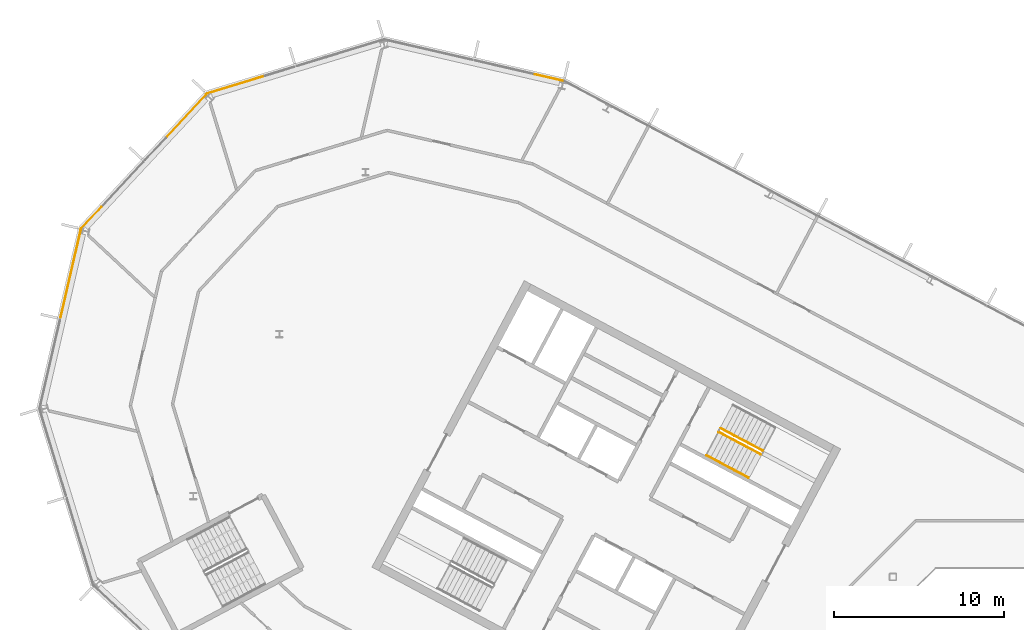
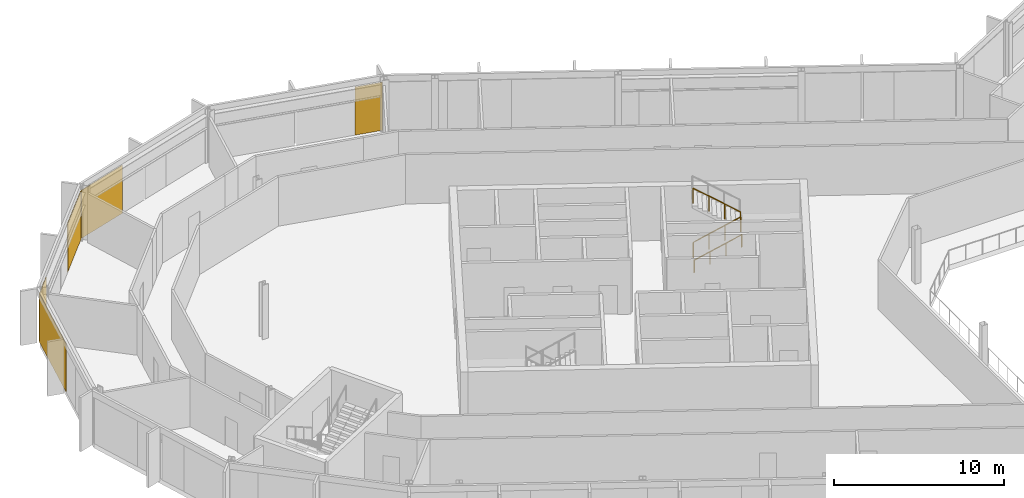
# One storey, part 22 of 26: 5 coverings, 3 railings, 4 elements without a shape of their own.
"""IFC4 building model written with IfcOpenShell, lengths in metres."""

from ifc_helpers import new_model, si_unit, direction, frame, origin, origin_2d, place, context, subcontext, project, spatial, polyline, rectangle, outline, extrude, material, layer, layer_set, type_object, element, aggregate, save


model = new_model("IFC4")

# Units and contexts
model_context = context("Model", 3, precision=1e-05, world=origin(), true_north=direction((0.0, 1.0)))
body_context = subcontext(model_context, "Body", "Model", "MODEL_VIEW")
ifc_project = project(units=[si_unit("LENGTHUNIT", "METRE"), si_unit("AREAUNIT", "SQUARE_METRE"), si_unit("VOLUMEUNIT", "CUBIC_METRE"), si_unit("PLANEANGLEUNIT", "RADIAN"), si_unit("MASSUNIT", "GRAM", prefix="KILO")], contexts=[model_context])

# Site, building, storey
site_placement = place(None, origin())
site = spatial("IfcSite", under=ifc_project, at=site_placement, CompositionType="ELEMENT")
building_placement = place(site_placement, origin())
building = spatial("IfcBuilding", under=site, at=building_placement, Name="Cormorant Relay Tower", CompositionType="ELEMENT")
storey_placement = place(building_placement, frame((0.0, 0.0, 312.60009765625)))
storey = spatial("IfcBuildingStorey", under=building, at=storey_placement, Name="L71", CompositionType="ELEMENT", Elevation=312.60009765625)

# Curtain wall, covering
ifc_material_1 = material(Name="Aluminium 6063-T6 anodised bronze", Category="aluminium")
ifc_layer_1 = layer(ifc_material_1, 0.199951171875)
ifc_layer_set_1 = layer_set([ifc_layer_1], Name="CW1 unitised bronze curtain wall with vertical fins")
curtain_wall_type = type_object("IfcCurtainWallType", Name="CW1 unitised bronze curtain wall with vertical fins", PredefinedType="NOTDEFINED", material=ifc_layer_set_1)
curtain_wall_1_placement = place(storey_placement, origin())
curtain_wall_1 = element("IfcCurtainWall", 1, at=curtain_wall_1_placement, inside=storey, type_object=curtain_wall_type, Name="CW1 curtain wall 10", PredefinedType="NOTDEFINED")
ifc_material_2 = material(Name="Pale bronze anodised aluminium insulated panel", Category="aluminium")
ifc_layer_2 = layer(ifc_material_2, 0.0400390625)
ifc_layer_set_2 = layer_set([ifc_layer_2], Name="CW1 pale bronze insulated panel 40")
covering_type = type_object("IfcCoveringType", Name="CW1 pale bronze insulated panel 40", PredefinedType="CLADDING", material=ifc_layer_set_2)
covering_1_placement = place(storey_placement, frame((-30.76318359375, 39.89404296875, 0.0), z_axis=(0.0, 0.0, 1.0), x_axis=(-0.974370064785, 0.224951054344, 0.0)))
covering_1 = element("IfcCovering", 2, at=covering_1_placement, type_object=covering_type, Name="CW1 panel S00", PredefinedType="CLADDING", context=body_context, shape_type="SweptSolid", body=[
    extrude(rectangle(XDim=1.685302734375, YDim=0.0400390625, at=origin_2d()), origin(), (0.0, 0.0, 1.0), 3.449951171875),
])
aggregate(curtain_wall_1, [covering_1])

curtain_wall_2_placement = place(storey_placement, origin())
curtain_wall_2 = element("IfcCurtainWall", 3, at=curtain_wall_2_placement, inside=storey, type_object=curtain_wall_type, Name="CW1 curtain wall 11", PredefinedType="NOTDEFINED")
covering_2_placement = place(storey_placement, frame((-49.16455078125, 39.474853515625, 0.0), z_axis=(0.0, 0.0, 1.0), x_axis=(-0.956304755963, -0.292371704723, 0.0)))
covering_2 = element("IfcCovering", 4, at=covering_2_placement, type_object=covering_type, Name="CW1 panel S03", PredefinedType="CLADDING", context=body_context, shape_type="SweptSolid", body=[
    extrude(rectangle(XDim=3.560302734375, YDim=0.0400390625, at=origin_2d()), origin(), (0.0, 0.0, 1.0), 3.449951171875),
])
aggregate(curtain_wall_2, [covering_2])

# Curtain wall, coverings
curtain_wall_3_placement = place(storey_placement, origin())
curtain_wall_3 = element("IfcCurtainWall", 5, at=curtain_wall_3_placement, inside=storey, type_object=curtain_wall_type, Name="CW1 curtain wall 12", PredefinedType="NOTDEFINED")
covering_3_placement = place(storey_placement, frame((-52.115234375, 37.61962890625, 0.0), z_axis=(0.0, 0.0, 1.0), x_axis=(-0.681998360062, -0.731353701619, 0.0)))
covering_3 = element("IfcCovering", 6, at=covering_3_placement, type_object=covering_type, Name="CW1 panel S00", PredefinedType="CLADDING", context=body_context, shape_type="SweptSolid", body=[
    extrude(rectangle(XDim=3.485107421875, YDim=0.0400390625, at=origin_2d()), origin(), (0.0, 0.0, 1.0), 3.449951171875),
])
covering_4_placement = place(storey_placement, frame((-57.68896484375, 31.642333984375, 0.0), z_axis=(0.0, 0.0, 1.0), x_axis=(-0.681998360062, -0.731353701619, 0.0)))
covering_4 = element("IfcCovering", 7, at=covering_4_placement, type_object=covering_type, Name="CW1 panel S03", PredefinedType="CLADDING", context=body_context, shape_type="SweptSolid", body=[
    extrude(rectangle(XDim=1.76025390625, YDim=0.0400390625, at=origin_2d()), origin(), (0.0, 0.0, 1.0), 3.449951171875),
])
aggregate(curtain_wall_3, [covering_3, covering_4])

# Curtain wall, covering
curtain_wall_4_placement = place(storey_placement, origin())
curtain_wall_4 = element("IfcCurtainWall", 8, at=curtain_wall_4_placement, inside=storey, type_object=curtain_wall_type, Name="CW1 curtain wall 13", PredefinedType="NOTDEFINED")
covering_5_placement = place(storey_placement, frame((-58.905517578125, 28.341796875, 0.0), z_axis=(0.0, 0.0, 1.0), x_axis=(-0.224951054344, -0.974370064785, 0.0)))
covering_5 = element("IfcCovering", 9, at=covering_5_placement, type_object=covering_type, Name="CW1 panel S00", PredefinedType="CLADDING", context=body_context, shape_type="SweptSolid", body=[
    extrude(rectangle(XDim=5.28515625, YDim=0.0400390625, at=origin_2d()), origin(), (0.0, 0.0, 1.0), 3.449951171875),
])
aggregate(curtain_wall_4, [covering_5])

# Railings
ifc_material_3 = material(Name="Steel ASTM A572 Grade 50 (Fy 345 MPa)", Category="steel")
railing_type_1 = type_object("IfcRailingType", Name="Stair guard 1100", PredefinedType="GUARDRAIL", material=ifc_material_3)
railing_1_placement = place(storey_placement, frame((-20.75048828125, 19.017822265625, 0.17724609375)))
element("IfcRailing", 10, at=railing_1_placement, inside=storey, type_object=railing_type_1, Name="L71 A1 stair guard 1", PredefinedType="GUARDRAIL", context=body_context, shape_type="SweptSolid", body=[
    extrude(outline(polyline([(0.022216796875, 0.00927734375), (0.00927734375, 0.022216796875), (-0.00927734375, 0.022216796875), (-0.022216796875, 0.00927734375), (-0.022216796875, -0.00927734375), (-0.00927734375, -0.022216796875), (0.00927734375, -0.022216796875), (0.022216796875, -0.00927734375), (0.022216796875, 0.00927734375)])), frame((0.0, 0.0, 1.076171875), z_axis=(0.746001213114, -0.396649272309, 0.534931345884), x_axis=(0.469465464807, 0.882950835185, 0.0)), (0.0, 0.0, 1.0), 3.31396484375),
    extrude(outline(polyline([(0.019287109375, 0.008056640625), (0.008056640625, 0.019287109375), (-0.008056640625, 0.019287109375), (-0.019287109375, 0.008056640625), (-0.019287109375, -0.008056640625), (-0.008056640625, -0.019287109375), (0.008056640625, -0.019287109375), (0.019287109375, -0.008056640625), (0.019287109375, 0.008056640625)])), origin(), (0.0, 0.0, 1.0), 1.052001953125),
    extrude(outline(polyline([(0.019287109375, 0.008056640625), (0.008056640625, 0.019287109375), (-0.008056640625, 0.019287109375), (-0.019287109375, 0.008056640625), (-0.019287109375, -0.008056640625), (-0.008056640625, -0.019287109375), (0.008056640625, -0.019287109375), (0.019287109375, -0.008056640625), (0.019287109375, 0.008056640625)])), frame((0.823974609375, -0.438232421875, 0.5908203125)), (0.0, 0.0, 1.0), 1.052001953125),
    extrude(outline(polyline([(0.019287109375, 0.008056640625), (0.008056640625, 0.019287109375), (-0.008056640625, 0.019287109375), (-0.019287109375, 0.008056640625), (-0.019287109375, -0.008056640625), (-0.008056640625, -0.019287109375), (0.008056640625, -0.019287109375), (0.019287109375, -0.008056640625), (0.019287109375, 0.008056640625)])), frame((1.648193359375, -0.876220703125, 1.181884765625)), (0.0, 0.0, 1.0), 1.052001953125),
    extrude(outline(polyline([(0.019287109375, 0.008056640625), (0.008056640625, 0.019287109375), (-0.008056640625, 0.019287109375), (-0.019287109375, 0.008056640625), (-0.019287109375, -0.008056640625), (-0.008056640625, -0.019287109375), (0.008056640625, -0.019287109375), (0.019287109375, -0.008056640625), (0.019287109375, 0.008056640625)])), frame((2.47216796875, -1.314453125, 1.772705078125)), (0.0, 0.0, 1.0), 1.052001953125),
])
railing_2_placement = place(storey_placement, frame((-18.160888671875, 17.924072265625, 2.127197265625)))
element("IfcRailing", 11, at=railing_2_placement, inside=storey, type_object=railing_type_1, Name="L71 A1 stair guard 3", PredefinedType="GUARDRAIL", context=body_context, shape_type="SweptSolid", body=[
    extrude(outline(polyline([(0.022216796875, 0.00927734375), (0.00927734375, 0.022216796875), (-0.00927734375, 0.022216796875), (-0.022216796875, 0.00927734375), (-0.022216796875, -0.00927734375), (-0.00927734375, -0.022216796875), (0.00927734375, -0.022216796875), (0.022216796875, -0.00927734375), (0.022216796875, 0.00927734375)])), frame((0.0, 0.0, 1.076171875), z_axis=(-0.746033882577, 0.396627473466, 0.534901947407), x_axis=(-0.469429322983, -0.882970050864, 0.0)), (0.0, 0.0, 1.0), 3.31396484375),
    extrude(outline(polyline([(0.019287109375, 0.008056640625), (0.008056640625, 0.019287109375), (-0.008056640625, 0.019287109375), (-0.019287109375, 0.008056640625), (-0.019287109375, -0.008056640625), (-0.008056640625, -0.019287109375), (0.008056640625, -0.019287109375), (0.019287109375, -0.008056640625), (0.019287109375, 0.008056640625)])), origin(), (0.0, 0.0, 1.0), 1.052001953125),
    extrude(outline(polyline([(0.019287109375, 0.008056640625), (0.008056640625, 0.019287109375), (-0.008056640625, 0.019287109375), (-0.019287109375, 0.008056640625), (-0.019287109375, -0.008056640625), (-0.008056640625, -0.019287109375), (0.008056640625, -0.019287109375), (0.019287109375, -0.008056640625), (0.019287109375, 0.008056640625)])), frame((-0.82421875, 0.438232421875, 0.5908203125)), (0.0, 0.0, 1.0), 1.052001953125),
    extrude(outline(polyline([(0.019287109375, 0.008056640625), (0.008056640625, 0.019287109375), (-0.008056640625, 0.019287109375), (-0.019287109375, 0.008056640625), (-0.019287109375, -0.008056640625), (-0.008056640625, -0.019287109375), (0.008056640625, -0.019287109375), (0.019287109375, -0.008056640625), (0.019287109375, 0.008056640625)])), frame((-1.648193359375, 0.876220703125, 1.181884765625)), (0.0, 0.0, 1.0), 1.052001953125),
    extrude(outline(polyline([(0.019287109375, 0.008056640625), (0.008056640625, 0.019287109375), (-0.008056640625, 0.019287109375), (-0.019287109375, 0.008056640625), (-0.019287109375, -0.008056640625), (-0.008056640625, -0.019287109375), (0.008056640625, -0.019287109375), (0.019287109375, -0.008056640625), (0.019287109375, 0.008056640625)])), frame((-2.472412109375, 1.314453125, 1.772705078125)), (0.0, 0.0, 1.0), 1.052001953125),
])
ifc_material_4 = material(Name="Steel ASTM A572 Grade 50 (Fy 345 MPa)", Category="steel")
railing_type_2 = type_object("IfcRailingType", Name="Stair handrail 900", PredefinedType="HANDRAIL", material=ifc_material_4)
railing_3_placement = place(storey_placement, frame((-21.478271484375, 17.6494140625, 0.17724609375)))
element("IfcRailing", 12, at=railing_3_placement, inside=storey, type_object=railing_type_2, Name="L71 A1 stair handrail 1", PredefinedType="HANDRAIL", context=body_context, shape_type="SweptSolid", body=[
    extrude(outline(polyline([(0.022216796875, 0.00927734375), (0.00927734375, 0.022216796875), (-0.00927734375, 0.022216796875), (-0.022216796875, 0.00927734375), (-0.022216796875, -0.00927734375), (-0.00927734375, -0.022216796875), (0.00927734375, -0.022216796875), (0.022216796875, -0.00927734375), (0.022216796875, 0.00927734375)])), frame((0.0, 0.0, 0.8759765625), z_axis=(0.746012083385, -0.396689549623, 0.534886317514), x_axis=(0.469497295046, 0.882933910293, 0.0)), (0.0, 0.0, 1.0), 3.314208984375),
    extrude(outline(polyline([(0.019287109375, 0.008056640625), (0.008056640625, 0.019287109375), (-0.008056640625, 0.019287109375), (-0.019287109375, 0.008056640625), (-0.019287109375, -0.008056640625), (-0.008056640625, -0.019287109375), (0.008056640625, -0.019287109375), (0.019287109375, -0.008056640625), (0.019287109375, 0.008056640625)])), origin(), (0.0, 0.0, 1.0), 0.851806640625),
    extrude(outline(polyline([(0.019287109375, 0.008056640625), (0.008056640625, 0.019287109375), (-0.008056640625, 0.019287109375), (-0.019287109375, 0.008056640625), (-0.019287109375, -0.008056640625), (-0.008056640625, -0.019287109375), (0.008056640625, -0.019287109375), (0.019287109375, -0.008056640625), (0.019287109375, 0.008056640625)])), frame((0.82421875, -0.438232421875, 0.5908203125)), (0.0, 0.0, 1.0), 0.851806640625),
    extrude(outline(polyline([(0.019287109375, 0.008056640625), (0.008056640625, 0.019287109375), (-0.008056640625, 0.019287109375), (-0.019287109375, 0.008056640625), (-0.019287109375, -0.008056640625), (-0.008056640625, -0.019287109375), (0.008056640625, -0.019287109375), (0.019287109375, -0.008056640625), (0.019287109375, 0.008056640625)])), frame((1.648193359375, -0.87646484375, 1.181884765625)), (0.0, 0.0, 1.0), 0.851806640625),
    extrude(outline(polyline([(0.019287109375, 0.008056640625), (0.008056640625, 0.019287109375), (-0.008056640625, 0.019287109375), (-0.019287109375, 0.008056640625), (-0.019287109375, -0.008056640625), (-0.008056640625, -0.019287109375), (0.008056640625, -0.019287109375), (0.019287109375, -0.008056640625), (0.019287109375, 0.008056640625)])), frame((2.472412109375, -1.314697265625, 1.772705078125)), (0.0, 0.0, 1.0), 0.851806640625),
])

save(model, "model.ifc")
